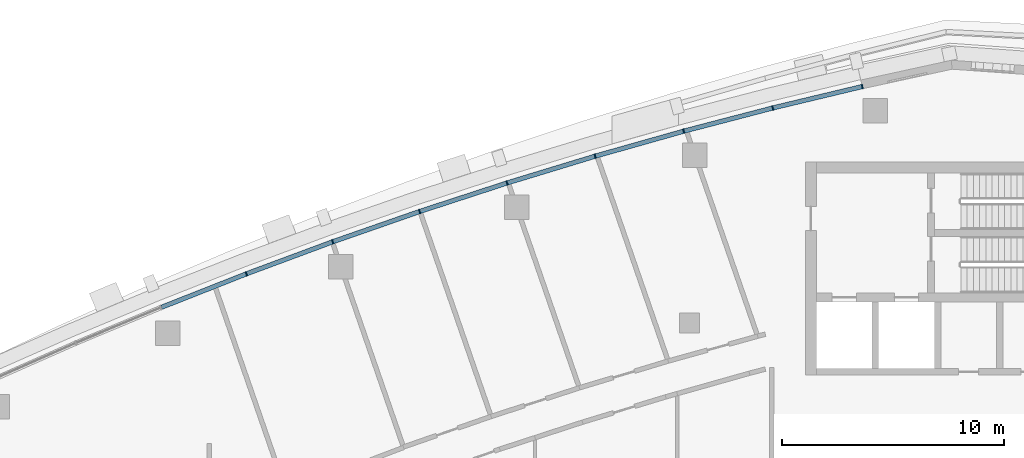
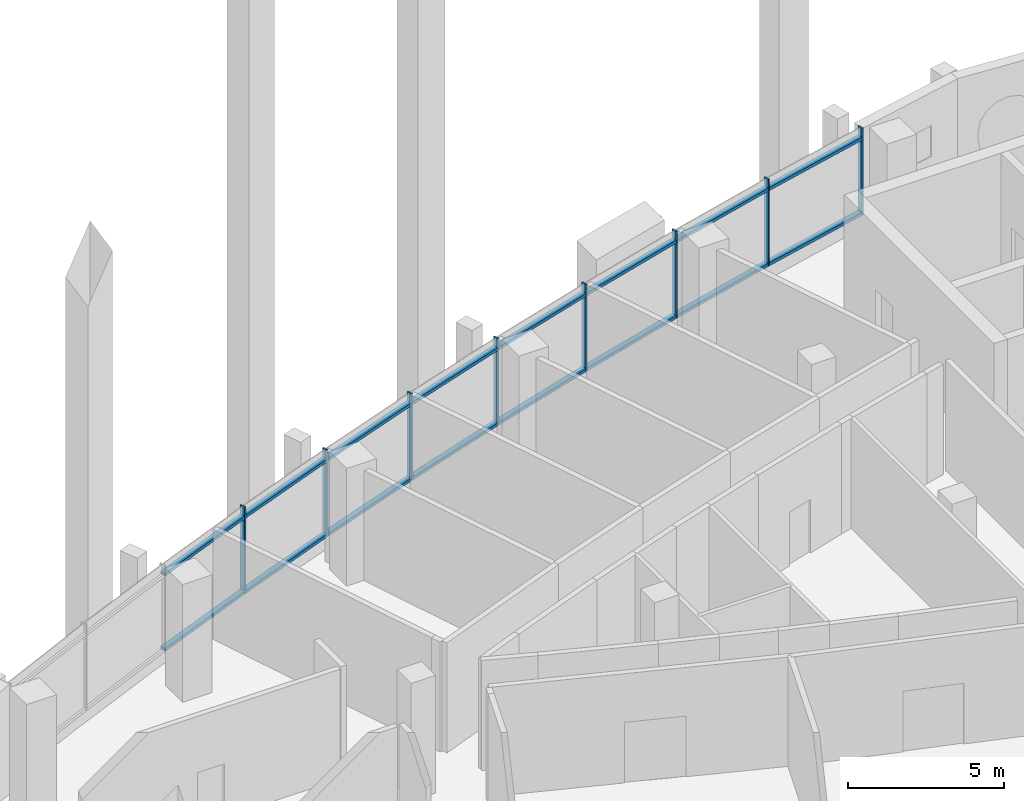
# One storey, part 4 of 15: 24 members, 4 elements without a shape of their own.
"""IFC4 building model written with IfcOpenShell, lengths in metres."""

from ifc_helpers import new_model, si_unit, direction, frame, origin, origin_2d, place, context, subcontext, project, spatial, rectangle, extrude, material, layer, layer_set, material_profile, profile_set, type_object, element, aggregate, save


model = new_model("IFC4")

# Units and contexts
model_context = context("Model", 3, precision=1e-05, world=origin(), true_north=direction((0.0, 1.0)))
body_context = subcontext(model_context, "Body", "Model", "MODEL_VIEW")
ifc_project = project(units=[si_unit("LENGTHUNIT", "METRE"), si_unit("AREAUNIT", "SQUARE_METRE"), si_unit("VOLUMEUNIT", "CUBIC_METRE"), si_unit("PLANEANGLEUNIT", "RADIAN"), si_unit("MASSUNIT", "GRAM", prefix="KILO")], contexts=[model_context])

# Site, building, storey
site_placement = place(None, origin())
site = spatial("IfcSite", under=ifc_project, at=site_placement, CompositionType="ELEMENT")
building_placement = place(site_placement, origin())
building = spatial("IfcBuilding", under=site, at=building_placement, Name="Ostrand Prow Hotel Tower", CompositionType="ELEMENT")
storey_placement = place(building_placement, frame((0.0, 0.0, 263.300048828125)))
storey = spatial("IfcBuildingStorey", under=building, at=storey_placement, Name="L66", CompositionType="ELEMENT", Elevation=263.300048828125)

# Curtain wall, members
ifc_material_1 = material(Name="Insulated glass in bronze anodised frame", Category="glass")
ifc_layer = layer(ifc_material_1, 0.199951171875)
ifc_layer_set = layer_set([ifc_layer], Name="Insulated glass in bronze anodised frame")
curtain_wall_type = type_object("IfcCurtainWallType", Name="Sky lobby full-height curtain wall", PredefinedType="NOTDEFINED", material=ifc_layer_set)
curtain_wall_1_placement = place(storey_placement, origin())
curtain_wall_1 = element("IfcCurtainWall", 1, at=curtain_wall_1_placement, inside=storey, type_object=curtain_wall_type, Name="CW3 run CWN1", PredefinedType="NOTDEFINED")
ifc_material_2 = material(Name="Bronze anodised aluminium", Category="aluminium")
ifc_material_profile_1 = material_profile(ifc_material_2, rectangle(XDim=0.199951171875, YDim=0.06005859375, at=origin_2d()), Name="Mullion 60x200 bronze anodised aluminium")
ifc_profile_set_1 = profile_set([ifc_material_profile_1], Name="Bronze anodised aluminium")
member_type_1 = type_object("IfcMemberType", Name="Mullion 60x200 bronze anodised aluminium", PredefinedType="MULLION", material=ifc_profile_set_1)
member_1_placement = place(storey_placement, frame((52.7607421875, 19.634521484375, 0.89990234375), z_axis=(0.0, 0.0, 1.0), x_axis=(0.232746096028, -0.972537533869, 0.0)))
member_1 = element("IfcMember", 2, at=member_1_placement, type_object=member_type_1, Name="CW3 mullion 1", PredefinedType="MULLION", context=body_context, shape_type="SweptSolid", body=[
    extrude(rectangle(XDim=0.199951171875, YDim=0.06005859375, at=origin_2d()), origin(), (0.0, 0.0, 1.0), 3.400146484375),
])
member_2_placement = place(storey_placement, frame((48.734619140625, 18.6708984375, 0.89990234375), z_axis=(0.0, 0.0, 1.0), x_axis=(0.252248384867, -0.967662519855, 0.0)))
member_2 = element("IfcMember", 3, at=member_2_placement, type_object=member_type_1, Name="CW3 mullion 2", PredefinedType="MULLION", context=body_context, shape_type="SweptSolid", body=[
    extrude(rectangle(XDim=0.199951171875, YDim=0.06005859375, at=origin_2d()), origin(), (0.0, 0.0, 1.0), 3.400146484375),
])
member_3_placement = place(storey_placement, frame((44.728515625, 17.626708984375, 0.89990234375), z_axis=(0.0, 0.0, 1.0), x_axis=(0.252248384867, -0.967662519855, 0.0)))
member_3 = element("IfcMember", 4, at=member_3_placement, type_object=member_type_1, Name="CW3 mullion 3", PredefinedType="MULLION", context=body_context, shape_type="SweptSolid", body=[
    extrude(rectangle(XDim=0.199951171875, YDim=0.06005859375, at=origin_2d()), origin(), (0.0, 0.0, 1.0), 3.400146484375),
])

curtain_wall_2_placement = place(storey_placement, origin())
curtain_wall_2 = element("IfcCurtainWall", 5, at=curtain_wall_2_placement, inside=storey, type_object=curtain_wall_type, Name="CW3 run CWN2", PredefinedType="NOTDEFINED")
member_4_placement = place(storey_placement, frame((40.744384765625, 16.502197265625, 0.89990234375), z_axis=(0.0, 0.0, 1.0), x_axis=(0.290937648411, -0.956742015769, 0.0)))
member_4 = element("IfcMember", 6, at=member_4_placement, type_object=member_type_1, Name="CW3 mullion 2", PredefinedType="MULLION", context=body_context, shape_type="SweptSolid", body=[
    extrude(rectangle(XDim=0.199951171875, YDim=0.06005859375, at=origin_2d()), origin(), (0.0, 0.0, 1.0), 3.400146484375),
])
member_5_placement = place(storey_placement, frame((36.78369140625, 15.297607421875, 0.89990234375), z_axis=(0.0, 0.0, 1.0), x_axis=(0.290937648411, -0.956742015769, 0.0)))
member_5 = element("IfcMember", 7, at=member_5_placement, type_object=member_type_1, Name="CW3 mullion 3", PredefinedType="MULLION", context=body_context, shape_type="SweptSolid", body=[
    extrude(rectangle(XDim=0.199951171875, YDim=0.06005859375, at=origin_2d()), origin(), (0.0, 0.0, 1.0), 3.400146484375),
])

curtain_wall_3_placement = place(storey_placement, origin())
curtain_wall_3 = element("IfcCurtainWall", 8, at=curtain_wall_3_placement, inside=storey, type_object=curtain_wall_type, Name="CW3 run CWN3", PredefinedType="NOTDEFINED")
member_6_placement = place(storey_placement, frame((32.84814453125, 14.013916015625, 0.89990234375), z_axis=(0.0, 0.0, 1.0), x_axis=(0.329158370885, -0.944274730614, 0.0)))
member_6 = element("IfcMember", 9, at=member_6_placement, type_object=member_type_1, Name="CW3 mullion 2", PredefinedType="MULLION", context=body_context, shape_type="SweptSolid", body=[
    extrude(rectangle(XDim=0.199951171875, YDim=0.06005859375, at=origin_2d()), origin(), (0.0, 0.0, 1.0), 3.400146484375),
])
member_7_placement = place(storey_placement, frame((28.93896484375, 12.6513671875, 0.89990234375), z_axis=(0.0, 0.0, 1.0), x_axis=(0.329158370885, -0.944274730614, 0.0)))
member_7 = element("IfcMember", 10, at=member_7_placement, type_object=member_type_1, Name="CW3 mullion 3", PredefinedType="MULLION", context=body_context, shape_type="SweptSolid", body=[
    extrude(rectangle(XDim=0.199951171875, YDim=0.06005859375, at=origin_2d()), origin(), (0.0, 0.0, 1.0), 3.400146484375),
])

# Curtain wall, member
curtain_wall_4_placement = place(storey_placement, origin())
curtain_wall_4 = element("IfcCurtainWall", 11, at=curtain_wall_4_placement, inside=storey, type_object=curtain_wall_type, Name="CW3 run CWN4", PredefinedType="NOTDEFINED")
member_8_placement = place(storey_placement, frame((25.05810546875, 11.210205078125, 0.89990234375), z_axis=(0.0, 0.0, 1.0), x_axis=(0.366845465248, -0.930281895249, 0.0)))
member_8 = element("IfcMember", 12, at=member_8_placement, type_object=member_type_1, Name="CW3 mullion 2", PredefinedType="MULLION", context=body_context, shape_type="SweptSolid", body=[
    extrude(rectangle(XDim=0.199951171875, YDim=0.06005859375, at=origin_2d()), origin(), (0.0, 0.0, 1.0), 3.400146484375),
])

# Member
ifc_material_3 = material(Name="Bronze anodised aluminium", Category="aluminium")
ifc_material_profile_2 = material_profile(ifc_material_3, rectangle(XDim=0.199951171875, YDim=0.1201171875, at=origin_2d()), Name="Transom 120x200 bronze anodised aluminium")
ifc_profile_set_2 = profile_set([ifc_material_profile_2], Name="Bronze anodised aluminium")
member_type_2 = type_object("IfcMemberType", Name="Transom 120x200 bronze anodised aluminium", PredefinedType="USERDEFINED", material=ifc_profile_set_2)
member_9_placement = place(storey_placement, frame((52.7314453125, 19.62744140625, 0.9599609375), z_axis=(-0.972542980558, -0.232723335675, 0.0), x_axis=(0.232723335675, -0.972542980558, 0.0)))
member_9 = element("IfcMember", 13, at=member_9_placement, type_object=member_type_2, Name="CW3 transom 1.1", ObjectType="TRANSOM", PredefinedType="USERDEFINED", context=body_context, shape_type="SweptSolid", body=[
    extrude(rectangle(XDim=0.199951171875, YDim=0.1201171875, at=origin_2d()), origin(), (0.0, 0.0, 1.0), 4.079833984375),
])

member_10_placement = place(storey_placement, frame((52.7314453125, 19.62744140625, 3.89990234375), z_axis=(-0.972542980558, -0.232723335675, 0.0), x_axis=(0.232723335675, -0.972542980558, 0.0)))
member_10 = element("IfcMember", 14, at=member_10_placement, type_object=member_type_2, Name="CW3 transom 1.2", ObjectType="TRANSOM", PredefinedType="USERDEFINED", context=body_context, shape_type="SweptSolid", body=[
    extrude(rectangle(XDim=0.199951171875, YDim=0.1201171875, at=origin_2d()), origin(), (0.0, 0.0, 1.0), 4.079833984375),
])

member_11_placement = place(storey_placement, frame((48.70556640625, 18.663330078125, 0.9599609375), z_axis=(-0.967664917891, -0.252239185461, 0.0), x_axis=(0.252239185461, -0.967664917891, 0.0)))
member_11 = element("IfcMember", 15, at=member_11_placement, type_object=member_type_2, Name="CW3 transom 2.1", ObjectType="TRANSOM", PredefinedType="USERDEFINED", context=body_context, shape_type="SweptSolid", body=[
    extrude(rectangle(XDim=0.199951171875, YDim=0.1201171875, at=origin_2d()), origin(), (0.0, 0.0, 1.0), 4.07958984375),
])

member_12_placement = place(storey_placement, frame((48.70556640625, 18.663330078125, 3.89990234375), z_axis=(-0.967664917891, -0.252239185461, 0.0), x_axis=(0.252239185461, -0.967664917891, 0.0)))
member_12 = element("IfcMember", 16, at=member_12_placement, type_object=member_type_2, Name="CW3 transom 2.2", ObjectType="TRANSOM", PredefinedType="USERDEFINED", context=body_context, shape_type="SweptSolid", body=[
    extrude(rectangle(XDim=0.199951171875, YDim=0.1201171875, at=origin_2d()), origin(), (0.0, 0.0, 1.0), 4.07958984375),
])

aggregate(curtain_wall_1, [member_1, member_2, member_3, member_9, member_10, member_11, member_12])

member_13_placement = place(storey_placement, frame((44.69970703125, 17.61865234375, 0.9599609375), z_axis=(-0.962386308628, -0.271684730828, 0.0), x_axis=(0.271684730828, -0.962386308628, 0.0)))
member_13 = element("IfcMember", 17, at=member_13_placement, type_object=member_type_2, Name="CW3 transom 1.1", ObjectType="TRANSOM", PredefinedType="USERDEFINED", context=body_context, shape_type="SweptSolid", body=[
    extrude(rectangle(XDim=0.199951171875, YDim=0.1201171875, at=origin_2d()), origin(), (0.0, 0.0, 1.0), 4.079833984375),
])

member_14_placement = place(storey_placement, frame((44.69970703125, 17.61865234375, 3.89990234375), z_axis=(-0.962386308628, -0.271684730828, 0.0), x_axis=(0.271684730828, -0.962386308628, 0.0)))
member_14 = element("IfcMember", 18, at=member_14_placement, type_object=member_type_2, Name="CW3 transom 1.2", ObjectType="TRANSOM", PredefinedType="USERDEFINED", context=body_context, shape_type="SweptSolid", body=[
    extrude(rectangle(XDim=0.199951171875, YDim=0.1201171875, at=origin_2d()), origin(), (0.0, 0.0, 1.0), 4.079833984375),
])

member_15_placement = place(storey_placement, frame((40.7158203125, 16.493408203125, 0.9599609375), z_axis=(-0.956739081124, -0.290947298751, 0.0), x_axis=(0.290947298751, -0.956739081124, 0.0)))
member_15 = element("IfcMember", 19, at=member_15_placement, type_object=member_type_2, Name="CW3 transom 2.1", ObjectType="TRANSOM", PredefinedType="USERDEFINED", context=body_context, shape_type="SweptSolid", body=[
    extrude(rectangle(XDim=0.199951171875, YDim=0.1201171875, at=origin_2d()), origin(), (0.0, 0.0, 1.0), 4.079833984375),
])

member_16_placement = place(storey_placement, frame((40.7158203125, 16.493408203125, 3.89990234375), z_axis=(-0.956739081124, -0.290947298751, 0.0), x_axis=(0.290947298751, -0.956739081124, 0.0)))
member_16 = element("IfcMember", 20, at=member_16_placement, type_object=member_type_2, Name="CW3 transom 2.2", ObjectType="TRANSOM", PredefinedType="USERDEFINED", context=body_context, shape_type="SweptSolid", body=[
    extrude(rectangle(XDim=0.199951171875, YDim=0.1201171875, at=origin_2d()), origin(), (0.0, 0.0, 1.0), 4.079833984375),
])

aggregate(curtain_wall_2, [member_4, member_5, member_13, member_14, member_15, member_16])

member_17_placement = place(storey_placement, frame((36.75537109375, 15.288330078125, 0.9599609375), z_axis=(-0.950704145978, -0.310099382165, 0.0), x_axis=(0.310099382165, -0.950704145978, 0.0)))
member_17 = element("IfcMember", 21, at=member_17_placement, type_object=member_type_2, Name="CW3 transom 1.1", ObjectType="TRANSOM", PredefinedType="USERDEFINED", context=body_context, shape_type="SweptSolid", body=[
    extrude(rectangle(XDim=0.199951171875, YDim=0.1201171875, at=origin_2d()), origin(), (0.0, 0.0, 1.0), 4.079833984375),
])

member_18_placement = place(storey_placement, frame((36.75537109375, 15.288330078125, 3.89990234375), z_axis=(-0.950704145978, -0.310099382165, 0.0), x_axis=(0.310099382165, -0.950704145978, 0.0)))
member_18 = element("IfcMember", 22, at=member_18_placement, type_object=member_type_2, Name="CW3 transom 1.2", ObjectType="TRANSOM", PredefinedType="USERDEFINED", context=body_context, shape_type="SweptSolid", body=[
    extrude(rectangle(XDim=0.199951171875, YDim=0.1201171875, at=origin_2d()), origin(), (0.0, 0.0, 1.0), 4.079833984375),
])

member_19_placement = place(storey_placement, frame((32.81982421875, 14.004150390625, 0.9599609375), z_axis=(-0.944268108385, -0.329177367822, 0.0), x_axis=(0.329177367822, -0.944268108385, 0.0)))
member_19 = element("IfcMember", 23, at=member_19_placement, type_object=member_type_2, Name="CW3 transom 2.1", ObjectType="TRANSOM", PredefinedType="USERDEFINED", context=body_context, shape_type="SweptSolid", body=[
    extrude(rectangle(XDim=0.199951171875, YDim=0.1201171875, at=origin_2d()), origin(), (0.0, 0.0, 1.0), 4.079833984375),
])

member_20_placement = place(storey_placement, frame((32.81982421875, 14.004150390625, 3.89990234375), z_axis=(-0.944268108385, -0.329177367822, 0.0), x_axis=(0.329177367822, -0.944268108385, 0.0)))
member_20 = element("IfcMember", 24, at=member_20_placement, type_object=member_type_2, Name="CW3 transom 2.2", ObjectType="TRANSOM", PredefinedType="USERDEFINED", context=body_context, shape_type="SweptSolid", body=[
    extrude(rectangle(XDim=0.199951171875, YDim=0.1201171875, at=origin_2d()), origin(), (0.0, 0.0, 1.0), 4.079833984375),
])

aggregate(curtain_wall_3, [member_6, member_7, member_17, member_18, member_19, member_20])

member_21_placement = place(storey_placement, frame((28.910888671875, 12.640869140625, 0.9599609375), z_axis=(-0.937460424566, -0.348091873465, 0.0), x_axis=(0.348091873465, -0.937460424566, 0.0)))
member_21 = element("IfcMember", 25, at=member_21_placement, type_object=member_type_2, Name="CW3 transom 1.1", ObjectType="TRANSOM", PredefinedType="USERDEFINED", context=body_context, shape_type="SweptSolid", body=[
    extrude(rectangle(XDim=0.199951171875, YDim=0.1201171875, at=origin_2d()), origin(), (0.0, 0.0, 1.0), 4.079833984375),
])

member_22_placement = place(storey_placement, frame((28.910888671875, 12.640869140625, 3.89990234375), z_axis=(-0.937460424566, -0.348091873465, 0.0), x_axis=(0.348091873465, -0.937460424566, 0.0)))
member_22 = element("IfcMember", 26, at=member_22_placement, type_object=member_type_2, Name="CW3 transom 1.2", ObjectType="TRANSOM", PredefinedType="USERDEFINED", context=body_context, shape_type="SweptSolid", body=[
    extrude(rectangle(XDim=0.199951171875, YDim=0.1201171875, at=origin_2d()), origin(), (0.0, 0.0, 1.0), 4.079833984375),
])

member_23_placement = place(storey_placement, frame((25.0302734375, 11.19921875, 0.9599609375), z_axis=(-0.930289613186, -0.366825892759, 0.0), x_axis=(0.366825892759, -0.930289613186, 0.0)))
member_23 = element("IfcMember", 27, at=member_23_placement, type_object=member_type_2, Name="CW3 transom 2.1", ObjectType="TRANSOM", PredefinedType="USERDEFINED", context=body_context, shape_type="SweptSolid", body=[
    extrude(rectangle(XDim=0.199951171875, YDim=0.1201171875, at=origin_2d()), origin(), (0.0, 0.0, 1.0), 4.079833984375),
])

member_24_placement = place(storey_placement, frame((25.0302734375, 11.19921875, 3.89990234375), z_axis=(-0.930289613186, -0.366825892759, 0.0), x_axis=(0.366825892759, -0.930289613186, 0.0)))
member_24 = element("IfcMember", 28, at=member_24_placement, type_object=member_type_2, Name="CW3 transom 2.2", ObjectType="TRANSOM", PredefinedType="USERDEFINED", context=body_context, shape_type="SweptSolid", body=[
    extrude(rectangle(XDim=0.199951171875, YDim=0.1201171875, at=origin_2d()), origin(), (0.0, 0.0, 1.0), 4.079833984375),
])

aggregate(curtain_wall_4, [member_8, member_21, member_22, member_23, member_24])

save(model, "model.ifc")
